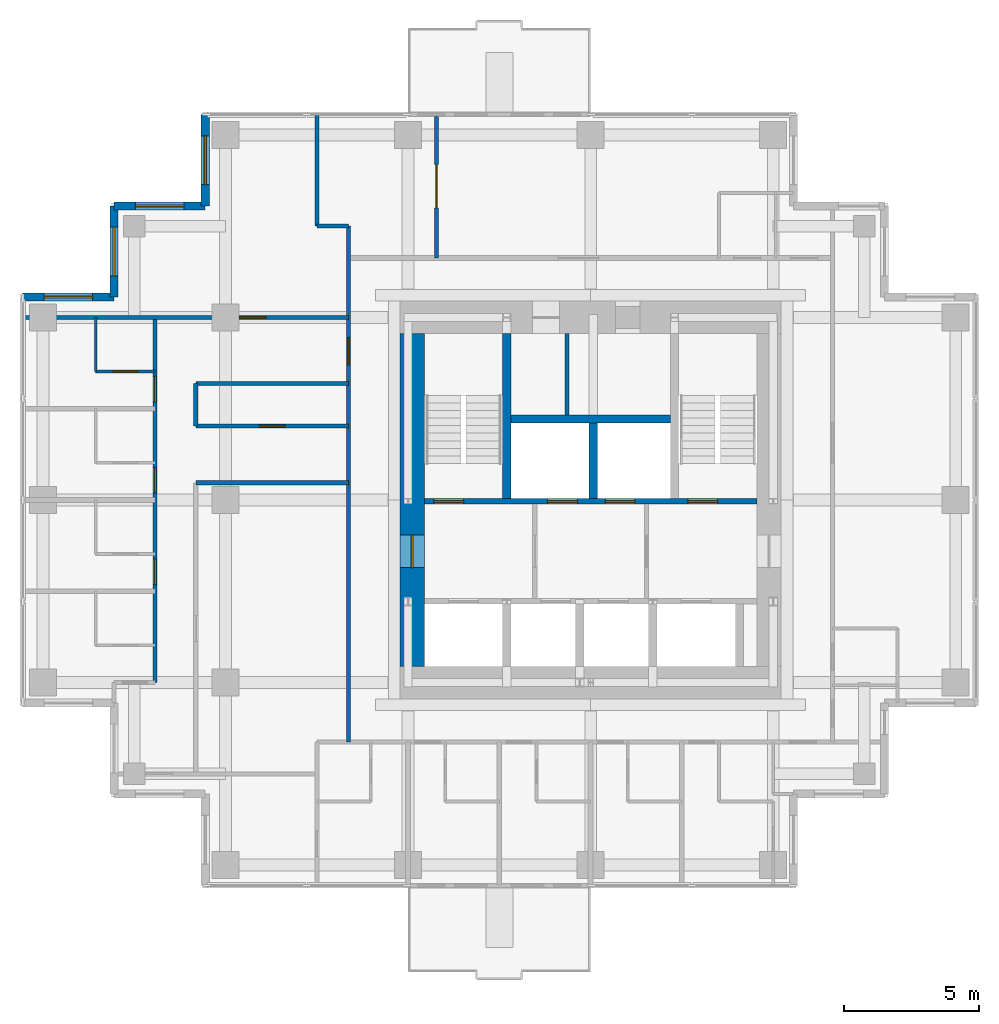
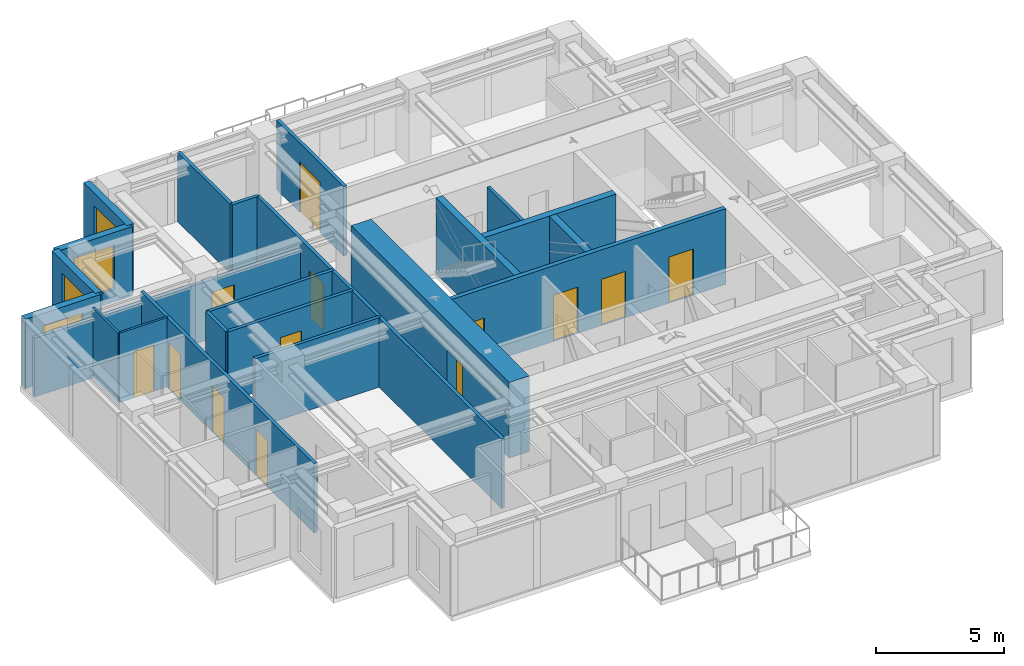
# One storey, part 5 of 8: 22 walls, 13 doors, 4 windows, 17 openings.
"""IFC4 building model written with IfcOpenShell, lengths in metres."""

from ifc_helpers import new_model, si_unit, direction, frame, frame_2d, origin, place, context, subcontext, project, spatial, rectangle, extrude, material, layer, layer_set, type_object, element, fill, save


model = new_model("IFC4")

# Units and contexts
model_context = context("Model", 3, precision=1e-05, world=origin(), true_north=direction((0.0, 1.0)))
body_context = subcontext(model_context, "Body", "Model", "MODEL_VIEW")
ifc_project = project(units=[si_unit("LENGTHUNIT", "METRE"), si_unit("AREAUNIT", "SQUARE_METRE"), si_unit("VOLUMEUNIT", "CUBIC_METRE"), si_unit("PLANEANGLEUNIT", "RADIAN"), si_unit("MASSUNIT", "GRAM", prefix="KILO")], contexts=[model_context])

# Site, building, storey
site_placement = place(None, origin())
site = spatial("IfcSite", under=ifc_project, at=site_placement, CompositionType="ELEMENT")
building_placement = place(site_placement, origin())
building = spatial("IfcBuilding", under=site, at=building_placement, Name="Nyansa Garden Tower", CompositionType="ELEMENT")
storey_placement = place(building_placement, frame((0.0, 0.0, 251.10009765625)))
storey = spatial("IfcBuildingStorey", under=building, at=storey_placement, Name="L68", CompositionType="ELEMENT", Elevation=251.10009765625)

# Wall, openings, doors
ifc_material_1 = material(Name="Concrete C70/85", Category="concrete")
ifc_layer_1 = layer(ifc_material_1, 0.199951171875)
ifc_layer_set_1 = layer_set([ifc_layer_1], Name="Core inner wall CI200")
wall_type_1 = type_object("IfcWallType", Name="Core inner wall CI200", PredefinedType="SHEAR", material=ifc_layer_set_1)
wall_1_placement = place(storey_placement, frame((14.10009765625, 20.199951171875, 0.0), z_axis=(0.0, 0.0, 1.0), x_axis=(1.0, 0.0, 0.0)))
wall_1 = element("IfcWall", 1, at=wall_1_placement, inside=storey, type_object=wall_type_1, Name="Core inner wall L68", PredefinedType="SHEAR", context=body_context, shape_type="SweptSolid", body=[
    extrude(rectangle(XDim=12.2998046875, YDim=0.199951171875, at=frame_2d((6.14990234375, 0.0))), origin(), (0.0, 0.0, 1.0), 3.599853515625),
])
opening_1_placement = place(wall_1_placement, frame((4.56005859375, 0.0, 0.0)))
opening_1 = element("IfcOpeningElement", 2, at=opening_1_placement, cuts=wall_1, Name="Opening LD-B", PredefinedType="OPENING", context=body_context, shape_type="SweptSolid", body=[
    extrude(rectangle(XDim=1.10009765625, YDim=2.199951171875, at=frame_2d((0.550048828125, 1.10009765625))), frame((0.0, 0.10986328125, 0.0), z_axis=(0.0, -1.0, 0.0), x_axis=(1.0, 0.0, 0.0)), (0.0, 0.0, 1.0), 0.219970703125),
])
opening_2_placement = place(wall_1_placement, frame((6.699951171875, 0.0, 0.0)))
opening_2 = element("IfcOpeningElement", 3, at=opening_2_placement, cuts=wall_1, Name="Opening LD-B", PredefinedType="OPENING", context=body_context, shape_type="SweptSolid", body=[
    extrude(rectangle(XDim=1.10009765625, YDim=2.199951171875, at=frame_2d((0.550048828125, 1.10009765625))), frame((0.0, 0.10986328125, 0.0), z_axis=(0.0, -1.0, 0.0), x_axis=(1.0, 0.0, 0.0)), (0.0, 0.0, 1.0), 0.219970703125),
])
opening_3_placement = place(wall_1_placement, frame((0.35009765625, 0.0, 0.0)))
opening_3 = element("IfcOpeningElement", 4, at=opening_3_placement, cuts=wall_1, Name="Opening D05", PredefinedType="OPENING", context=body_context, shape_type="SweptSolid", body=[
    extrude(rectangle(XDim=1.10009765625, YDim=2.199951171875, at=frame_2d((0.550048828125, 1.10009765625))), frame((0.0, 0.10986328125, 0.0), z_axis=(0.0, -1.0, 0.0), x_axis=(1.0, 0.0, 0.0)), (0.0, 0.0, 1.0), 0.219970703125),
])
opening_4_placement = place(wall_1_placement, frame((9.75, 0.0, 0.0)))
opening_4 = element("IfcOpeningElement", 5, at=opening_4_placement, cuts=wall_1, Name="Opening D05", PredefinedType="OPENING", context=body_context, shape_type="SweptSolid", body=[
    extrude(rectangle(XDim=1.10009765625, YDim=2.199951171875, at=frame_2d((0.550048828125, 1.10009765625))), frame((0.0, 0.10986328125, 0.0), z_axis=(0.0, -1.0, 0.0), x_axis=(1.0, 0.0, 0.0)), (0.0, 0.0, 1.0), 0.219970703125),
])
ifc_material_2 = material(Name="Stainless steel centre-opening landing door of the high-rise lift, E 120", Category="steel")
door_type_1 = type_object("IfcDoorType", Name="Lift landing door LD-B 1100x2200", OperationType="DOUBLE_DOOR_SLIDING", PredefinedType="DOOR", material=ifc_material_2)
door_1_placement = place(opening_1_placement, origin())
door_1 = element("IfcDoor", 6, at=door_1_placement, inside=storey, type_object=door_type_1, Name="Landing door B3", OperationType="DOUBLE_DOOR_SLIDING", OverallHeight=2.199951171875, OverallWidth=1.10009765625, PredefinedType="DOOR", context=body_context, shape_type="SweptSolid", body=[
    extrude(rectangle(XDim=1.10009765625, YDim=2.199951171875, at=frame_2d((0.550048828125, 1.10009765625))), frame((0.0, 0.02490234375, 0.0), z_axis=(0.0, -1.0, 0.0), x_axis=(1.0, 0.0, 0.0)), (0.0, 0.0, 1.0), 0.050048828125),
])
fill(opening_1, door_1)
door_2_placement = place(opening_2_placement, origin())
door_2 = element("IfcDoor", 7, at=door_2_placement, inside=storey, type_object=door_type_1, Name="Landing door B4", OperationType="DOUBLE_DOOR_SLIDING", OverallHeight=2.199951171875, OverallWidth=1.10009765625, PredefinedType="DOOR", context=body_context, shape_type="SweptSolid", body=[
    extrude(rectangle(XDim=1.10009765625, YDim=2.199951171875, at=frame_2d((0.550048828125, 1.10009765625))), frame((0.0, 0.02490234375, 0.0), z_axis=(0.0, -1.0, 0.0), x_axis=(1.0, 0.0, 0.0)), (0.0, 0.0, 1.0), 0.050048828125),
])
fill(opening_2, door_2)
ifc_material_3 = material(Name="Steel door, 120 minute fire resisting", Category="steel")
door_type_2 = type_object("IfcDoorType", Name="Stair door D05 1100x2200", OperationType="SINGLE_SWING_LEFT", PredefinedType="DOOR", material=ifc_material_3)
door_3_placement = place(opening_3_placement, origin())
door_3 = element("IfcDoor", 8, at=door_3_placement, inside=storey, type_object=door_type_2, Name="Stair S1 door", OperationType="SINGLE_SWING_LEFT", OverallHeight=2.199951171875, OverallWidth=1.10009765625, PredefinedType="DOOR", context=body_context, shape_type="SweptSolid", body=[
    extrude(rectangle(XDim=1.10009765625, YDim=2.199951171875, at=frame_2d((0.550048828125, 1.10009765625))), frame((0.0, 0.02490234375, 0.0), z_axis=(0.0, -1.0, 0.0), x_axis=(1.0, 0.0, 0.0)), (0.0, 0.0, 1.0), 0.050048828125),
])
fill(opening_3, door_3)
door_4_placement = place(opening_4_placement, origin())
door_4 = element("IfcDoor", 9, at=door_4_placement, inside=storey, type_object=door_type_2, Name="Stair S2 door", OperationType="SINGLE_SWING_LEFT", OverallHeight=2.199951171875, OverallWidth=1.10009765625, PredefinedType="DOOR", context=body_context, shape_type="SweptSolid", body=[
    extrude(rectangle(XDim=1.10009765625, YDim=2.199951171875, at=frame_2d((0.550048828125, 1.10009765625))), frame((0.0, 0.02490234375, 0.0), z_axis=(0.0, -1.0, 0.0), x_axis=(1.0, 0.0, 0.0)), (0.0, 0.0, 1.0), 0.050048828125),
])
fill(opening_4, door_4)

# Walls
ifc_material_4 = material(Name="Concrete C70/85", Category="concrete")
ifc_layer_2 = layer(ifc_material_4, 0.300048828125)
ifc_layer_set_2 = layer_set([ifc_layer_2], Name="Core inner wall CI300")
wall_type_2 = type_object("IfcWallType", Name="Core inner wall CI300", PredefinedType="SHEAR", material=ifc_layer_set_2)
wall_2_placement = place(storey_placement, frame((17.14990234375, 20.300048828125, 0.0), z_axis=(0.0, 0.0, 1.0), x_axis=(0.0, 1.0, 0.0)))
element("IfcWall", 10, at=wall_2_placement, inside=storey, type_object=wall_type_2, Name="Core inner wall L68", PredefinedType="SHEAR", context=body_context, shape_type="SweptSolid", body=[
    extrude(rectangle(XDim=6.099853515625, YDim=0.300048828125, at=frame_2d((3.0498046875, 0.0))), origin(), (0.0, 0.0, 1.0), 3.599853515625),
])
wall_3_placement = place(storey_placement, frame((20.35009765625, 20.300048828125, 0.0), z_axis=(0.0, 0.0, 1.0), x_axis=(0.0, 1.0, 0.0)))
element("IfcWall", 11, at=wall_3_placement, inside=storey, type_object=wall_type_2, Name="Core inner wall L68", PredefinedType="SHEAR", context=body_context, shape_type="SweptSolid", body=[
    extrude(rectangle(XDim=2.800048828125, YDim=0.300048828125, at=frame_2d((1.39990234375, 0.0))), origin(), (0.0, 0.0, 1.0), 3.599853515625),
])
wall_4_placement = place(storey_placement, frame((17.300048828125, 23.25, 0.0), z_axis=(0.0, 0.0, 1.0), x_axis=(1.0, 0.0, 0.0)))
element("IfcWall", 12, at=wall_4_placement, inside=storey, type_object=wall_type_2, Name="Core inner wall L68", PredefinedType="SHEAR", context=body_context, shape_type="SweptSolid", body=[
    extrude(rectangle(XDim=5.89990234375, YDim=0.300048828125, at=frame_2d((2.949951171875, 0.0))), origin(), (0.0, 0.0, 1.0), 3.599853515625),
])

# Wall, opening, door
ifc_material_5 = material(Name="Concrete C80/95", Category="concrete")
ifc_layer_3 = layer(ifc_material_5, 0.89990234375)
ifc_layer_set_3 = layer_set([ifc_layer_3], Name="Core wall CW900")
wall_type_3 = type_object("IfcWallType", Name="Core wall CW900", PredefinedType="SHEAR", material=ifc_layer_set_3)
wall_5_placement = place(storey_placement, frame((13.64990234375, 26.39990234375, 0.0), z_axis=(0.0, 0.0, 1.0), x_axis=(0.0, -1.0, 0.0)))
wall_5 = element("IfcWall", 13, at=wall_5_placement, inside=storey, type_object=wall_type_3, Name="Core wall W L68", PredefinedType="SHEAR", context=body_context, shape_type="SweptSolid", body=[
    extrude(rectangle(XDim=12.2998046875, YDim=0.89990234375, at=frame_2d((6.14990234375, 0.0))), origin(), (0.0, 0.0, 1.0), 3.599853515625),
])
opening_5_placement = place(wall_5_placement, frame((7.449951171875, 0.0, 0.0)))
opening_5 = element("IfcOpeningElement", 14, at=opening_5_placement, cuts=wall_5, Name="Opening D06", PredefinedType="OPENING", context=body_context, shape_type="SweptSolid", body=[
    extrude(rectangle(XDim=1.199951171875, YDim=2.199951171875, at=frame_2d((0.60009765625, 1.10009765625))), frame((0.0, 0.4599609375, 0.0), z_axis=(0.0, -1.0, 0.0), x_axis=(1.0, 0.0, 0.0)), (0.0, 0.0, 1.0), 0.919921875),
])
ifc_material_6 = material(Name="Steel door, 120 minute fire resisting", Category="steel")
door_type_3 = type_object("IfcDoorType", Name="Lobby door D06 1200x2200", OperationType="DOUBLE_DOOR_SINGLE_SWING", PredefinedType="DOOR", material=ifc_material_6)
door_5_placement = place(opening_5_placement, origin())
door_5 = element("IfcDoor", 15, at=door_5_placement, inside=storey, type_object=door_type_3, Name="Lift lobby door west", OperationType="DOUBLE_DOOR_SINGLE_SWING", OverallHeight=2.199951171875, OverallWidth=1.199951171875, PredefinedType="DOOR", context=body_context, shape_type="SweptSolid", body=[
    extrude(rectangle(XDim=1.199951171875, YDim=2.199951171875, at=frame_2d((0.60009765625, 1.10009765625))), frame((0.0, 0.02490234375, 0.0), z_axis=(0.0, -1.0, 0.0), x_axis=(1.0, 0.0, 0.0)), (0.0, 0.0, 1.0), 0.050048828125),
])
fill(opening_5, door_5)

# Wall
ifc_material_7 = material(Name="Blockwork, plastered both sides", Category="masonry")
ifc_layer_4 = layer(ifc_material_7, 0.14990234375)
ifc_layer_set_4 = layer_set([ifc_layer_4], Name="Partition PW150")
wall_type_4 = type_object("IfcWallType", Name="Partition PW150", PredefinedType="PARTITIONING", material=ifc_layer_set_4)
wall_6_placement = place(storey_placement, frame((19.375, 23.39990234375, 0.0), z_axis=(0.0, 0.0, 1.0), x_axis=(0.0, 1.0, 0.0)))
element("IfcWall", 16, at=wall_6_placement, inside=storey, type_object=wall_type_4, Name="Partition", PredefinedType="PARTITIONING", context=body_context, shape_type="SweptSolid", body=[
    extrude(rectangle(XDim=3.0, YDim=0.14990234375, at=frame_2d((1.5, 0.0))), origin(), (0.0, 0.0, 1.0), 3.2998046875),
])

# Wall, opening, door
wall_7_placement = place(storey_placement, frame((-0.73388671875, 27.0, 0.0), z_axis=(0.0, 0.0, 1.0), x_axis=(1.0, 0.0, 0.0)))
wall_7 = element("IfcWall", 17, at=wall_7_placement, inside=storey, type_object=wall_type_4, Name="Partition", PredefinedType="PARTITIONING", context=body_context, shape_type="SweptSolid", body=[
    extrude(rectangle(XDim=12.033935546875, YDim=0.14990234375, at=frame_2d((6.01708984375, 0.0))), origin(), (0.0, 0.0, 1.0), 2.802001953125),
])
opening_6_placement = place(wall_7_placement, frame((7.98388671875, 0.0, 0.0)))
opening_6 = element("IfcOpeningElement", 18, at=opening_6_placement, cuts=wall_7, Name="Opening D03", PredefinedType="OPENING", context=body_context, shape_type="SweptSolid", body=[
    extrude(rectangle(XDim=1.0, YDim=2.199951171875, at=frame_2d((0.5, 1.10009765625))), frame((0.0, 0.0849609375, 0.0), z_axis=(0.0, -1.0, 0.0), x_axis=(1.0, 0.0, 0.0)), (0.0, 0.0, 1.0), 0.169921875),
])
ifc_material_8 = material(Name="Timber flush door, 60 minute fire resisting", Category="wood")
door_type_4 = type_object("IfcDoorType", Name="Cluster entrance door D03 1000x2200", OperationType="SINGLE_SWING_LEFT", PredefinedType="DOOR", material=ifc_material_8)
door_6_placement = place(opening_6_placement, origin())
door_6 = element("IfcDoor", 19, at=door_6_placement, inside=storey, type_object=door_type_4, Name="Door L68-044", OperationType="SINGLE_SWING_LEFT", OverallHeight=2.199951171875, OverallWidth=1.0, PredefinedType="DOOR", context=body_context, shape_type="SweptSolid", body=[
    extrude(rectangle(XDim=1.0, YDim=2.199951171875, at=frame_2d((0.5, 1.10009765625))), frame((0.0, 0.02490234375, 0.0), z_axis=(0.0, -1.0, 0.0), x_axis=(1.0, 0.0, 0.0)), (0.0, 0.0, 1.0), 0.050048828125),
])
fill(opening_6, door_6)

# Wall, openings, doors
wall_8_placement = place(storey_placement, frame((4.14990234375, 13.5, 0.0), z_axis=(0.0, 0.0, 1.0), x_axis=(0.0, 1.0, 0.0)))
wall_8 = element("IfcWall", 20, at=wall_8_placement, inside=storey, type_object=wall_type_4, Name="Partition", PredefinedType="PARTITIONING", context=body_context, shape_type="SweptSolid", body=[
    extrude(rectangle(XDim=13.5, YDim=0.14990234375, at=frame_2d((6.75, 0.0))), origin(), (0.0, 0.0, 1.0), 3.2998046875),
])
opening_7_placement = place(wall_8_placement, frame((3.625, 0.0, 0.0)))
opening_7 = element("IfcOpeningElement", 21, at=opening_7_placement, cuts=wall_8, Name="Opening D01", PredefinedType="OPENING", context=body_context, shape_type="SweptSolid", body=[
    extrude(rectangle(XDim=0.949951171875, YDim=2.199951171875, at=frame_2d((0.47509765625, 1.10009765625))), frame((0.0, 0.0849609375, 0.0), z_axis=(0.0, -1.0, 0.0), x_axis=(1.0, 0.0, 0.0)), (0.0, 0.0, 1.0), 0.169921875),
])
opening_8_placement = place(wall_8_placement, frame((7.0, 0.0, 0.0)))
opening_8 = element("IfcOpeningElement", 22, at=opening_8_placement, cuts=wall_8, Name="Opening D01", PredefinedType="OPENING", context=body_context, shape_type="SweptSolid", body=[
    extrude(rectangle(XDim=0.949951171875, YDim=2.199951171875, at=frame_2d((0.47509765625, 1.10009765625))), frame((0.0, 0.0849609375, 0.0), z_axis=(0.0, -1.0, 0.0), x_axis=(1.0, 0.0, 0.0)), (0.0, 0.0, 1.0), 0.169921875),
])
opening_9_placement = place(wall_8_placement, frame((10.375, 0.0, 0.0)))
opening_9 = element("IfcOpeningElement", 23, at=opening_9_placement, cuts=wall_8, Name="Opening D01", PredefinedType="OPENING", context=body_context, shape_type="SweptSolid", body=[
    extrude(rectangle(XDim=0.949951171875, YDim=2.199951171875, at=frame_2d((0.47509765625, 1.10009765625))), frame((0.0, 0.0849609375, 0.0), z_axis=(0.0, -1.0, 0.0), x_axis=(1.0, 0.0, 0.0)), (0.0, 0.0, 1.0), 0.169921875),
])
ifc_material_9 = material(Name="Timber flush door, 30 minute fire resisting", Category="wood")
door_type_5 = type_object("IfcDoorType", Name="Bedroom door D01 950x2200", OperationType="SINGLE_SWING_LEFT", PredefinedType="DOOR", material=ifc_material_9)
door_7_placement = place(opening_7_placement, origin())
door_7 = element("IfcDoor", 24, at=door_7_placement, inside=storey, type_object=door_type_5, Name="Door L68-038", OperationType="SINGLE_SWING_LEFT", OverallHeight=2.199951171875, OverallWidth=0.949951171875, PredefinedType="DOOR", context=body_context, shape_type="SweptSolid", body=[
    extrude(rectangle(XDim=0.949951171875, YDim=2.199951171875, at=frame_2d((0.47509765625, 1.10009765625))), frame((0.0, 0.02490234375, 0.0), z_axis=(0.0, -1.0, 0.0), x_axis=(1.0, 0.0, 0.0)), (0.0, 0.0, 1.0), 0.050048828125),
])
fill(opening_7, door_7)
door_8_placement = place(opening_8_placement, origin())
door_8 = element("IfcDoor", 25, at=door_8_placement, inside=storey, type_object=door_type_5, Name="Door L68-040", OperationType="SINGLE_SWING_LEFT", OverallHeight=2.199951171875, OverallWidth=0.949951171875, PredefinedType="DOOR", context=body_context, shape_type="SweptSolid", body=[
    extrude(rectangle(XDim=0.949951171875, YDim=2.199951171875, at=frame_2d((0.47509765625, 1.10009765625))), frame((0.0, 0.02490234375, 0.0), z_axis=(0.0, -1.0, 0.0), x_axis=(1.0, 0.0, 0.0)), (0.0, 0.0, 1.0), 0.050048828125),
])
fill(opening_8, door_8)
door_9_placement = place(opening_9_placement, origin())
door_9 = element("IfcDoor", 26, at=door_9_placement, inside=storey, type_object=door_type_5, Name="Door L68-042", OperationType="SINGLE_SWING_LEFT", OverallHeight=2.199951171875, OverallWidth=0.949951171875, PredefinedType="DOOR", context=body_context, shape_type="SweptSolid", body=[
    extrude(rectangle(XDim=0.949951171875, YDim=2.199951171875, at=frame_2d((0.47509765625, 1.10009765625))), frame((0.0, 0.02490234375, 0.0), z_axis=(0.0, -1.0, 0.0), x_axis=(1.0, 0.0, 0.0)), (0.0, 0.0, 1.0), 0.050048828125),
])
fill(opening_9, door_9)

# Walls
wall_9_placement = place(storey_placement, frame((5.64990234375, 20.886962890625, 0.0), z_axis=(0.0, 0.0, 1.0), x_axis=(1.0, 0.0, 0.0)))
element("IfcWall", 27, at=wall_9_placement, inside=storey, type_object=wall_type_4, Name="Partition", PredefinedType="PARTITIONING", context=body_context, shape_type="SweptSolid", body=[
    extrude(rectangle(XDim=5.650146484375, YDim=0.14990234375, at=frame_2d((2.8251953125, 0.0))), origin(), (0.0, 0.0, 1.0), 3.2998046875),
])
wall_10_placement = place(storey_placement, frame((5.64990234375, 22.987548828125, 0.0), z_axis=(0.0, 0.0, 1.0), x_axis=(0.0, 1.0, 0.0)))
element("IfcWall", 28, at=wall_10_placement, inside=storey, type_object=wall_type_4, Name="Partition", PredefinedType="PARTITIONING", context=body_context, shape_type="SweptSolid", body=[
    extrude(rectangle(XDim=1.5625, YDim=0.14990234375, at=frame_2d((0.78125, 0.0))), origin(), (0.0, 0.0, 1.0), 3.2998046875),
])

# Wall, opening, door
wall_11_placement = place(storey_placement, frame((5.64990234375, 22.988037109375, 0.0), z_axis=(0.0, 0.0, 1.0), x_axis=(1.0, 0.0, 0.0)))
wall_11 = element("IfcWall", 29, at=wall_11_placement, inside=storey, type_object=wall_type_4, Name="Partition", PredefinedType="PARTITIONING", context=body_context, shape_type="SweptSolid", body=[
    extrude(rectangle(XDim=5.650146484375, YDim=0.14990234375, at=frame_2d((2.8251953125, 0.0))), origin(), (0.0, 0.0, 1.0), 3.2998046875),
])
opening_10_placement = place(wall_11_placement, frame((2.35009765625, 0.0, 0.0)))
opening_10 = element("IfcOpeningElement", 30, at=opening_10_placement, cuts=wall_11, Name="Opening D01", PredefinedType="OPENING", context=body_context, shape_type="SweptSolid", body=[
    extrude(rectangle(XDim=0.949951171875, YDim=2.199951171875, at=frame_2d((0.47509765625, 1.10009765625))), frame((0.0, 0.0849609375, 0.0), z_axis=(0.0, -1.0, 0.0), x_axis=(1.0, 0.0, 0.0)), (0.0, 0.0, 1.0), 0.169921875),
])
door_10_placement = place(opening_10_placement, origin())
door_10 = element("IfcDoor", 31, at=door_10_placement, inside=storey, type_object=door_type_5, Name="Door L68-047", OperationType="SINGLE_SWING_LEFT", OverallHeight=2.199951171875, OverallWidth=0.949951171875, PredefinedType="DOOR", context=body_context, shape_type="SweptSolid", body=[
    extrude(rectangle(XDim=0.949951171875, YDim=2.199951171875, at=frame_2d((0.47509765625, 1.10009765625))), frame((0.0, 0.02490234375, 0.0), z_axis=(0.0, -1.0, 0.0), x_axis=(1.0, 0.0, 0.0)), (0.0, 0.0, 1.0), 0.050048828125),
])
fill(opening_10, door_10)

# Walls
wall_12_placement = place(storey_placement, frame((5.64990234375, 24.550048828125, 0.0), z_axis=(0.0, 0.0, 1.0), x_axis=(1.0, 0.0, 0.0)))
element("IfcWall", 32, at=wall_12_placement, inside=storey, type_object=wall_type_4, Name="Partition", PredefinedType="PARTITIONING", context=body_context, shape_type="SweptSolid", body=[
    extrude(rectangle(XDim=5.650146484375, YDim=0.14990234375, at=frame_2d((2.8251953125, 0.0))), origin(), (0.0, 0.0, 1.0), 3.2998046875),
])
wall_13_placement = place(storey_placement, frame((10.125, 30.375, 0.0), z_axis=(0.0, 0.0, 1.0), x_axis=(0.0, 1.0, 0.0)))
element("IfcWall", 33, at=wall_13_placement, inside=storey, type_object=wall_type_4, Name="Partition", PredefinedType="PARTITIONING", context=body_context, shape_type="SweptSolid", body=[
    extrude(rectangle(XDim=4.10888671875, YDim=0.14990234375, at=frame_2d((2.054443359375, 0.0))), origin(), (0.0, 0.0, 1.0), 3.2998046875),
])
wall_14_placement = place(storey_placement, frame((10.125, 30.375, 0.0), z_axis=(0.0, 0.0, 1.0), x_axis=(1.0, 0.0, 0.0)))
element("IfcWall", 34, at=wall_14_placement, inside=storey, type_object=wall_type_4, Name="Partition", PredefinedType="PARTITIONING", context=body_context, shape_type="SweptSolid", body=[
    extrude(rectangle(XDim=1.175048828125, YDim=0.14990234375, at=frame_2d((0.58740234375, 0.0))), origin(), (0.0, 0.0, 1.0), 3.2998046875),
])

# Wall, opening, door
wall_15_placement = place(storey_placement, frame((11.300048828125, 11.300048828125, 0.0), z_axis=(0.0, 0.0, 1.0), x_axis=(0.0, 1.0, 0.0)))
wall_15 = element("IfcWall", 35, at=wall_15_placement, inside=storey, type_object=wall_type_4, Name="Partition", PredefinedType="PARTITIONING", context=body_context, shape_type="SweptSolid", body=[
    extrude(rectangle(XDim=19.074951171875, YDim=0.14990234375, at=frame_2d((9.53759765625, 0.0))), origin(), (0.0, 0.0, 1.0), 3.2998046875),
])
opening_11_placement = place(wall_15_placement, frame((13.949951171875, 0.0, 0.0)))
opening_11 = element("IfcOpeningElement", 36, at=opening_11_placement, cuts=wall_15, Name="Opening D03", PredefinedType="OPENING", context=body_context, shape_type="SweptSolid", body=[
    extrude(rectangle(XDim=1.0, YDim=2.199951171875, at=frame_2d((0.5, 1.10009765625))), frame((0.0, 0.0849609375, 0.0), z_axis=(0.0, -1.0, 0.0), x_axis=(1.0, 0.0, 0.0)), (0.0, 0.0, 1.0), 0.169921875),
])
door_11_placement = place(opening_11_placement, origin())
door_11 = element("IfcDoor", 37, at=door_11_placement, inside=storey, type_object=door_type_4, Name="Door L68-045", OperationType="SINGLE_SWING_LEFT", OverallHeight=2.199951171875, OverallWidth=1.0, PredefinedType="DOOR", context=body_context, shape_type="SweptSolid", body=[
    extrude(rectangle(XDim=1.0, YDim=2.199951171875, at=frame_2d((0.5, 1.10009765625))), frame((0.0, 0.02490234375, 0.0), z_axis=(0.0, -1.0, 0.0), x_axis=(1.0, 0.0, 0.0)), (0.0, 0.0, 1.0), 0.050048828125),
])
fill(opening_11, door_11)

wall_16_placement = place(storey_placement, frame((14.549072265625, 29.199951171875, 0.0), z_axis=(0.0, 0.0, 1.0), x_axis=(0.0, 1.0, 0.0)))
wall_16 = element("IfcWall", 38, at=wall_16_placement, inside=storey, type_object=wall_type_4, Name="Partition", PredefinedType="PARTITIONING", context=body_context, shape_type="SweptSolid", body=[
    extrude(rectangle(XDim=5.22509765625, YDim=0.14990234375, at=frame_2d((2.612548828125, 0.0))), origin(), (0.0, 0.0, 1.0), 3.2998046875),
])
opening_12_placement = place(wall_16_placement, frame((1.85009765625, 0.0, 0.0)))
opening_12 = element("IfcOpeningElement", 39, at=opening_12_placement, cuts=wall_16, Name="Opening D12", PredefinedType="OPENING", context=body_context, shape_type="SweptSolid", body=[
    extrude(rectangle(XDim=1.60009765625, YDim=2.39990234375, at=frame_2d((0.800048828125, 1.199951171875))), frame((0.0, 0.0849609375, 0.0), z_axis=(0.0, -1.0, 0.0), x_axis=(1.0, 0.0, 0.0)), (0.0, 0.0, 1.0), 0.169921875),
])
ifc_material_10 = material(Name="Black aluminium glazed door, 60 minute fire resisting", Category="aluminium")
door_type_6 = type_object("IfcDoorType", Name="Amenity door D12 1600x2400", OperationType="DOUBLE_DOOR_SINGLE_SWING", PredefinedType="DOOR", material=ifc_material_10)
door_12_placement = place(opening_12_placement, origin())
door_12 = element("IfcDoor", 40, at=door_12_placement, inside=storey, type_object=door_type_6, Name="Door L68-034", OperationType="DOUBLE_DOOR_SINGLE_SWING", OverallHeight=2.39990234375, OverallWidth=1.60009765625, PredefinedType="DOOR", context=body_context, shape_type="SweptSolid", body=[
    extrude(rectangle(XDim=1.60009765625, YDim=2.39990234375, at=frame_2d((0.800048828125, 1.199951171875))), frame((0.0, 0.02490234375, 0.0), z_axis=(0.0, -1.0, 0.0), x_axis=(1.0, 0.0, 0.0)), (0.0, 0.0, 1.0), 0.050048828125),
])
fill(opening_12, door_12)

# Wall, opening, window
ifc_material_11 = material(Name="Turquoise glazed tile on concrete blockwork", Category="masonry")
ifc_layer_5 = layer(ifc_material_11, 0.300048828125)
ifc_layer_set_5 = layer_set([ifc_layer_5], Name="Tiled corner wall TW300")
wall_type_5 = type_object("IfcWallType", Name="Tiled corner wall TW300", PredefinedType="SOLIDWALL", material=ifc_layer_set_5)
wall_17_placement = place(storey_placement, frame((6.0, 34.5, 0.0), z_axis=(0.0, 0.0, 1.0), x_axis=(0.0, -1.0, 0.0)))
wall_17 = element("IfcWall", 41, at=wall_17_placement, inside=storey, type_object=wall_type_5, Name="Tiled corner wall L68", PredefinedType="SOLIDWALL", context=body_context, shape_type="SweptSolid", body=[
    extrude(rectangle(XDim=3.375, YDim=0.300048828125, at=frame_2d((1.6875, 0.0))), origin(), (0.0, 0.0, 1.0), 3.2998046875),
])
opening_13_placement = place(wall_17_placement, frame((0.78759765625, 0.0, 0.60009765625)))
opening_13 = element("IfcOpeningElement", 42, at=opening_13_placement, cuts=wall_17, Name="Opening W2", PredefinedType="OPENING", context=body_context, shape_type="SweptSolid", body=[
    extrude(rectangle(XDim=1.800048828125, YDim=2.10009765625, at=frame_2d((0.89990234375, 1.050048828125))), frame((0.0, 0.159912109375, 0.0), z_axis=(0.0, -1.0, 0.0), x_axis=(1.0, 0.0, 0.0)), (0.0, 0.0, 1.0), 0.320068359375),
])
ifc_material_12 = material(Name="Black aluminium frame, dark tinted double glazing", Category="aluminium")
window_type = type_object("IfcWindowType", Name="Window W2 1800x2100", PartitioningType="SINGLE_PANEL", PredefinedType="WINDOW", material=ifc_material_12)
window_1_placement = place(opening_13_placement, origin())
window_1 = element("IfcWindow", 43, at=window_1_placement, inside=storey, type_object=window_type, Name="Corner window L68", OverallHeight=2.10009765625, OverallWidth=1.800048828125, PartitioningType="SINGLE_PANEL", PredefinedType="WINDOW", context=body_context, shape_type="SweptSolid", body=[
    extrude(rectangle(XDim=1.800048828125, YDim=2.10009765625, at=frame_2d((0.89990234375, 1.050048828125))), frame((0.0, 0.030029296875, 0.0), z_axis=(0.0, -1.0, 0.0), x_axis=(1.0, 0.0, 0.0)), (0.0, 0.0, 1.0), 0.06005859375),
])
fill(opening_13, window_1)

wall_18_placement = place(storey_placement, frame((6.0, 31.125, 0.0), z_axis=(0.0, 0.0, 1.0), x_axis=(-1.0, 0.0, 0.0)))
wall_18 = element("IfcWall", 44, at=wall_18_placement, inside=storey, type_object=wall_type_5, Name="Tiled corner wall L68", PredefinedType="SOLIDWALL", context=body_context, shape_type="SweptSolid", body=[
    extrude(rectangle(XDim=3.375, YDim=0.300048828125, at=frame_2d((1.6875, 0.0))), origin(), (0.0, 0.0, 1.0), 3.2998046875),
])
opening_14_placement = place(wall_18_placement, frame((0.78759765625, 0.0, 0.60009765625)))
opening_14 = element("IfcOpeningElement", 45, at=opening_14_placement, cuts=wall_18, Name="Opening W2", PredefinedType="OPENING", context=body_context, shape_type="SweptSolid", body=[
    extrude(rectangle(XDim=1.800048828125, YDim=2.10009765625, at=frame_2d((0.89990234375, 1.050048828125))), frame((0.0, 0.159912109375, 0.0), z_axis=(0.0, -1.0, 0.0), x_axis=(1.0, 0.0, 0.0)), (0.0, 0.0, 1.0), 0.320068359375),
])
window_2_placement = place(opening_14_placement, origin())
window_2 = element("IfcWindow", 46, at=window_2_placement, inside=storey, type_object=window_type, Name="Corner window L68", OverallHeight=2.10009765625, OverallWidth=1.800048828125, PartitioningType="SINGLE_PANEL", PredefinedType="WINDOW", context=body_context, shape_type="SweptSolid", body=[
    extrude(rectangle(XDim=1.800048828125, YDim=2.10009765625, at=frame_2d((0.89990234375, 1.050048828125))), frame((0.0, 0.030029296875, 0.0), z_axis=(0.0, -1.0, 0.0), x_axis=(1.0, 0.0, 0.0)), (0.0, 0.0, 1.0), 0.06005859375),
])
fill(opening_14, window_2)

wall_19_placement = place(storey_placement, frame((2.625, 31.125, 0.0), z_axis=(0.0, 0.0, 1.0), x_axis=(0.0, -1.0, 0.0)))
wall_19 = element("IfcWall", 47, at=wall_19_placement, inside=storey, type_object=wall_type_5, Name="Tiled corner wall L68", PredefinedType="SOLIDWALL", context=body_context, shape_type="SweptSolid", body=[
    extrude(rectangle(XDim=3.375, YDim=0.300048828125, at=frame_2d((1.6875, 0.0))), origin(), (0.0, 0.0, 1.0), 3.2998046875),
])
opening_15_placement = place(wall_19_placement, frame((0.78759765625, 0.0, 0.60009765625)))
opening_15 = element("IfcOpeningElement", 48, at=opening_15_placement, cuts=wall_19, Name="Opening W2", PredefinedType="OPENING", context=body_context, shape_type="SweptSolid", body=[
    extrude(rectangle(XDim=1.800048828125, YDim=2.10009765625, at=frame_2d((0.89990234375, 1.050048828125))), frame((0.0, 0.159912109375, 0.0), z_axis=(0.0, -1.0, 0.0), x_axis=(1.0, 0.0, 0.0)), (0.0, 0.0, 1.0), 0.320068359375),
])
window_3_placement = place(opening_15_placement, origin())
window_3 = element("IfcWindow", 49, at=window_3_placement, inside=storey, type_object=window_type, Name="Corner window L68", OverallHeight=2.10009765625, OverallWidth=1.800048828125, PartitioningType="SINGLE_PANEL", PredefinedType="WINDOW", context=body_context, shape_type="SweptSolid", body=[
    extrude(rectangle(XDim=1.800048828125, YDim=2.10009765625, at=frame_2d((0.89990234375, 1.050048828125))), frame((0.0, 0.030029296875, 0.0), z_axis=(0.0, -1.0, 0.0), x_axis=(1.0, 0.0, 0.0)), (0.0, 0.0, 1.0), 0.06005859375),
])
fill(opening_15, window_3)

wall_20_placement = place(storey_placement, frame((2.625, 27.75, 0.0), z_axis=(0.0, 0.0, 1.0), x_axis=(-1.0, 0.0, 0.0)))
wall_20 = element("IfcWall", 50, at=wall_20_placement, inside=storey, type_object=wall_type_5, Name="Tiled corner wall L68", PredefinedType="SOLIDWALL", context=body_context, shape_type="SweptSolid", body=[
    extrude(rectangle(XDim=3.375, YDim=0.300048828125, at=frame_2d((1.6875, 0.0))), origin(), (0.0, 0.0, 1.0), 3.2998046875),
])
opening_16_placement = place(wall_20_placement, frame((0.78759765625, 0.0, 0.60009765625)))
opening_16 = element("IfcOpeningElement", 51, at=opening_16_placement, cuts=wall_20, Name="Opening W2", PredefinedType="OPENING", context=body_context, shape_type="SweptSolid", body=[
    extrude(rectangle(XDim=1.800048828125, YDim=2.10009765625, at=frame_2d((0.89990234375, 1.050048828125))), frame((0.0, 0.159912109375, 0.0), z_axis=(0.0, -1.0, 0.0), x_axis=(1.0, 0.0, 0.0)), (0.0, 0.0, 1.0), 0.320068359375),
])
window_4_placement = place(opening_16_placement, origin())
window_4 = element("IfcWindow", 52, at=window_4_placement, inside=storey, type_object=window_type, Name="Corner window L68", OverallHeight=2.10009765625, OverallWidth=1.800048828125, PartitioningType="SINGLE_PANEL", PredefinedType="WINDOW", context=body_context, shape_type="SweptSolid", body=[
    extrude(rectangle(XDim=1.800048828125, YDim=2.10009765625, at=frame_2d((0.89990234375, 1.050048828125))), frame((0.0, 0.030029296875, 0.0), z_axis=(0.0, -1.0, 0.0), x_axis=(1.0, 0.0, 0.0)), (0.0, 0.0, 1.0), 0.06005859375),
])
fill(opening_16, window_4)

# Wall
ifc_material_13 = material(Name="Moisture resistant board on steel studs, tiled", Category="steel")
ifc_layer_6 = layer(ifc_material_13, 0.10009765625)
ifc_layer_set_6 = layer_set([ifc_layer_6], Name="Wet wall PW100")
wall_type_6 = type_object("IfcWallType", Name="Wet wall PW100", PredefinedType="PARTITIONING", material=ifc_layer_set_6)
wall_21_placement = place(storey_placement, frame((1.949951171875, 25.0, 0.0), z_axis=(0.0, 0.0, 1.0), x_axis=(0.0, 1.0, 0.0)))
element("IfcWall", 53, at=wall_21_placement, inside=storey, type_object=wall_type_6, Name="Wet wall", PredefinedType="PARTITIONING", context=body_context, shape_type="SweptSolid", body=[
    extrude(rectangle(XDim=2.0, YDim=0.10009765625, at=frame_2d((1.0, 0.0))), origin(), (0.0, 0.0, 1.0), 3.2998046875),
])

# Wall, opening, door
wall_22_placement = place(storey_placement, frame((1.949951171875, 25.0, 0.0), z_axis=(0.0, 0.0, 1.0), x_axis=(1.0, 0.0, 0.0)))
wall_22 = element("IfcWall", 54, at=wall_22_placement, inside=storey, type_object=wall_type_6, Name="Wet wall", PredefinedType="PARTITIONING", context=body_context, shape_type="SweptSolid", body=[
    extrude(rectangle(XDim=2.199951171875, YDim=0.10009765625, at=frame_2d((1.10009765625, 0.0))), origin(), (0.0, 0.0, 1.0), 3.2998046875),
])
opening_17_placement = place(wall_22_placement, frame((0.64990234375, 0.0, 0.0)))
opening_17 = element("IfcOpeningElement", 55, at=opening_17_placement, cuts=wall_22, Name="Opening D02", PredefinedType="OPENING", context=body_context, shape_type="SweptSolid", body=[
    extrude(rectangle(XDim=0.89990234375, YDim=2.199951171875, at=frame_2d((0.449951171875, 1.10009765625))), frame((0.0, 0.06005859375, 0.0), z_axis=(0.0, -1.0, 0.0), x_axis=(1.0, 0.0, 0.0)), (0.0, 0.0, 1.0), 0.1201171875),
])
ifc_material_14 = material(Name="Timber flush door", Category="wood")
door_type_7 = type_object("IfcDoorType", Name="En-suite door D02 900x2200", OperationType="SINGLE_SWING_RIGHT", PredefinedType="DOOR", material=ifc_material_14)
door_13_placement = place(opening_17_placement, origin())
door_13 = element("IfcDoor", 56, at=door_13_placement, inside=storey, type_object=door_type_7, Name="Door L68-043", OperationType="SINGLE_SWING_RIGHT", OverallHeight=2.199951171875, OverallWidth=0.89990234375, PredefinedType="DOOR", context=body_context, shape_type="SweptSolid", body=[
    extrude(rectangle(XDim=0.89990234375, YDim=2.199951171875, at=frame_2d((0.449951171875, 1.10009765625))), frame((0.0, 0.02490234375, 0.0), z_axis=(0.0, -1.0, 0.0), x_axis=(1.0, 0.0, 0.0)), (0.0, 0.0, 1.0), 0.050048828125),
])
fill(opening_17, door_13)

save(model, "model.ifc")
